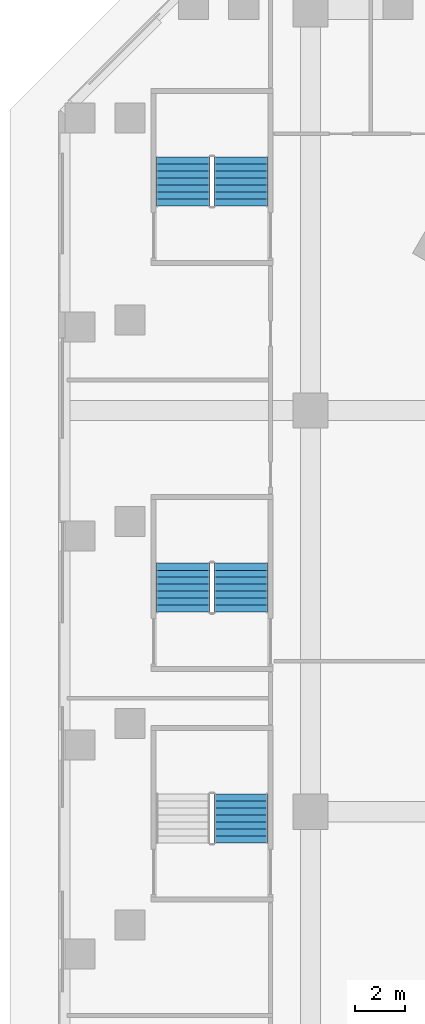
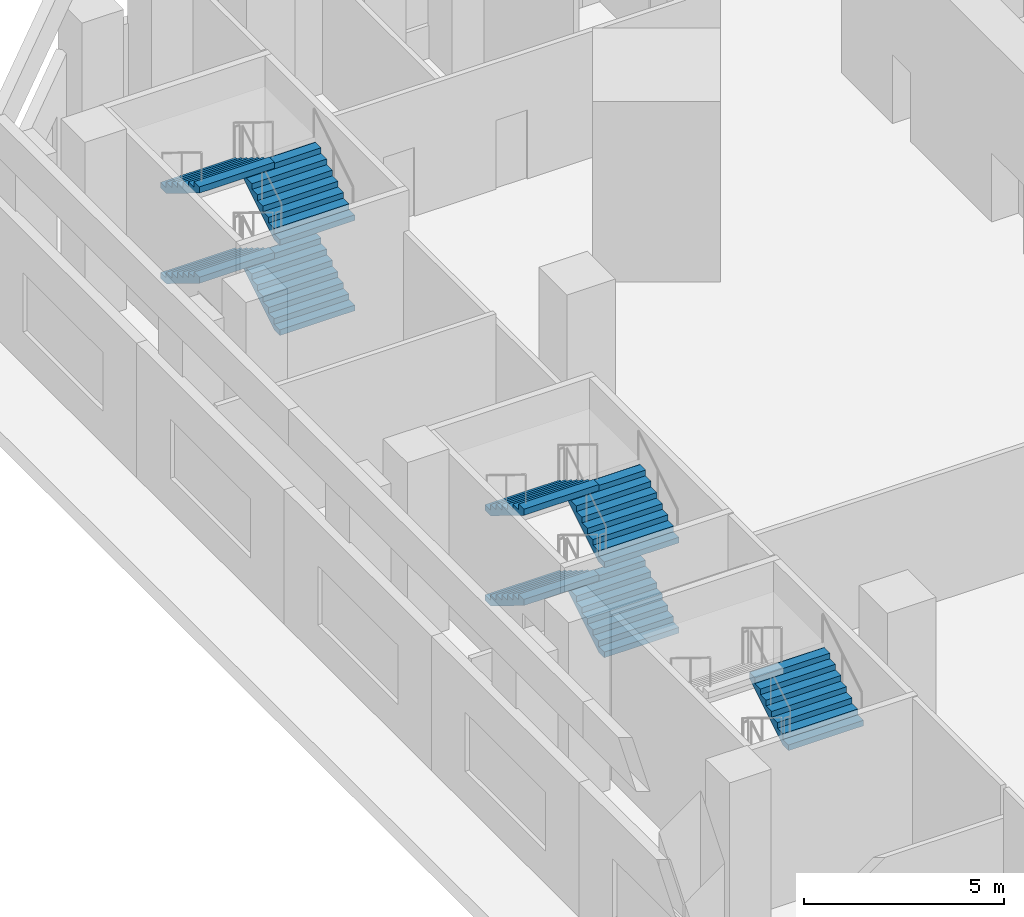
# One storey, part 14 of 22: 9 stair flights, 3 elements without a shape of their own.
"""IFC4 building model written with IfcOpenShell, lengths in metres."""

from ifc_helpers import new_model, si_unit, direction, frame, origin, place, context, subcontext, project, spatial, faceted_brep, source, transform, mapped, material, type_object, element, aggregate, save


model = new_model("IFC4")

# Units and contexts
model_context = context("Model", 3, precision=1e-05, world=origin(), true_north=direction((0.0, 1.0)))
body_context = subcontext(model_context, "Body", "Model", "MODEL_VIEW")
ifc_project = project(units=[si_unit("LENGTHUNIT", "METRE"), si_unit("AREAUNIT", "SQUARE_METRE"), si_unit("VOLUMEUNIT", "CUBIC_METRE"), si_unit("PLANEANGLEUNIT", "RADIAN"), si_unit("MASSUNIT", "GRAM", prefix="KILO")], contexts=[model_context])

# Site, building, storey
site_placement = place(None, origin())
site = spatial("IfcSite", under=ifc_project, at=site_placement, CompositionType="ELEMENT")
building_placement = place(site_placement, origin())
building = spatial("IfcBuilding", under=site, at=building_placement, Name="Calabash Gate Tower", CompositionType="ELEMENT")
storey_placement = place(building_placement, frame((0.0, 0.0, 34.5)))
storey = spatial("IfcBuildingStorey", under=building, at=storey_placement, Name="L04", CompositionType="ELEMENT", Elevation=34.5)

# Stair, stair flight
ifc_material_1 = material(Name="Concrete C40/50", Category="concrete")
stair_type = type_object("IfcStairType", Name="Public stair 32 risers of 171.9 mm", PredefinedType="HALF_TURN_STAIR", material=ifc_material_1)
stair_1_placement = place(storey_placement, origin())
stair_1 = element("IfcStair", 1, at=stair_1_placement, inside=storey, type_object=stair_type, Name="L04 Public Stair PS3", PredefinedType="HALF_TURN_STAIR")
ifc_material_2 = material(Name="Concrete C40/50", Category="concrete")
stair_flight_type = type_object("IfcStairFlightType", Name="Exit stair flight SFL", PredefinedType="STRAIGHT", material=ifc_material_2)
shared_shape = source(origin(), body_context, "Body", "Brep", [
    faceted_brep([(-0.0009765625, -1.080078125, 0.0), (0.285888671875, -1.080078125, 0.0), (1.9541015625, -1.080078125, 1.027099609375), (-0.0009765625, 1.080078125, 0.0), (1.9541015625, 1.080078125, 1.027099609375), (0.285888671875, 1.080078125, 0.0), (1.9541015625, -1.080078125, 1.215087890625), (1.952880859375, -1.080078125, 1.215087890625), (1.952880859375, 1.080078125, 1.215087890625), (1.9541015625, 1.080078125, 1.215087890625), (1.952880859375, -1.080078125, 1.203125), (1.952880859375, 1.080078125, 1.203125), (1.674072265625, -1.080078125, 1.203125), (1.674072265625, 1.080078125, 1.203125), (1.674072265625, -1.080078125, 1.03125), (1.674072265625, 1.080078125, 1.03125), (1.39501953125, -1.080078125, 1.03125), (1.39501953125, 1.080078125, 1.03125), (1.39501953125, -1.080078125, 0.859375), (1.39501953125, 1.080078125, 0.859375), (1.115966796875, -1.080078125, 0.859375), (1.115966796875, -1.080078125, 0.6875), (1.115966796875, 1.080078125, 0.6875), (1.115966796875, 1.080078125, 0.859375), (0.8369140625, -1.080078125, 0.6875), (0.8369140625, -1.080078125, 0.515625), (0.8369140625, 1.080078125, 0.515625), (0.8369140625, 1.080078125, 0.6875), (0.55810546875, -1.080078125, 0.515625), (0.55810546875, -1.080078125, 0.34375), (0.55810546875, 1.080078125, 0.34375), (0.55810546875, 1.080078125, 0.515625), (0.279052734375, -1.080078125, 0.34375), (0.279052734375, -1.080078125, 0.171875), (0.279052734375, 1.080078125, 0.171875), (0.279052734375, 1.080078125, 0.34375), (-0.0009765625, -1.080078125, 0.171875), (-0.0009765625, 1.080078125, 0.171875), (0.285888671875, -0.431884765625, 0.0), (1.9541015625, -0.431884765625, 1.027099609375), (0.285888671875, -0.370361328125, 0.0), (1.9541015625, -0.370361328125, 1.027099609375), (0.285888671875, -0.30859375, 0.0), (1.9541015625, -0.30859375, 1.027099609375), (0.285888671875, -0.246826171875, 0.0), (1.9541015625, -0.246826171875, 1.027099609375), (0.285888671875, -0.18505859375, 0.0), (1.9541015625, -0.18505859375, 1.027099609375), (0.285888671875, -0.12353515625, 0.0), (1.9541015625, -0.12353515625, 1.027099609375), (0.285888671875, -0.061767578125, 0.0), (1.9541015625, -0.061767578125, 1.027099609375), (0.285888671875, 0.0, 0.0), (1.9541015625, 0.0, 1.027099609375), (0.285888671875, 0.061767578125, 0.0), (1.9541015625, 0.061767578125, 1.027099609375), (0.285888671875, 0.12353515625, 0.0), (1.9541015625, 0.12353515625, 1.027099609375), (0.285888671875, 0.18505859375, 0.0), (1.9541015625, 0.18505859375, 1.027099609375), (0.285888671875, 0.246826171875, 0.0), (1.9541015625, 0.246826171875, 1.027099609375), (0.285888671875, 0.30859375, 0.0), (1.9541015625, 0.30859375, 1.027099609375), (0.285888671875, 0.370361328125, 0.0), (1.9541015625, 0.370361328125, 1.027099609375), (0.285888671875, 0.431884765625, 0.0), (1.9541015625, 0.431884765625, 1.027099609375), (1.9541015625, -0.431884765625, 1.215087890625), (1.9541015625, -0.370361328125, 1.215087890625), (1.9541015625, -0.30859375, 1.215087890625), (1.9541015625, -0.246826171875, 1.215087890625), (1.9541015625, -0.18505859375, 1.215087890625), (1.9541015625, -0.12353515625, 1.215087890625), (1.9541015625, -0.061767578125, 1.215087890625), (1.9541015625, 0.0, 1.215087890625), (1.9541015625, 0.061767578125, 1.215087890625), (1.9541015625, 0.12353515625, 1.215087890625), (1.9541015625, 0.18505859375, 1.215087890625), (1.9541015625, 0.246826171875, 1.215087890625), (1.9541015625, 0.30859375, 1.215087890625), (1.9541015625, 0.370361328125, 1.215087890625), (1.9541015625, 0.431884765625, 1.215087890625), (1.952880859375, -0.431884765625, 1.215087890625), (1.952880859375, -0.370361328125, 1.215087890625), (1.952880859375, -0.30859375, 1.215087890625), (1.952880859375, -0.246826171875, 1.215087890625), (1.952880859375, -0.18505859375, 1.215087890625), (1.952880859375, -0.12353515625, 1.215087890625), (1.952880859375, -0.061767578125, 1.215087890625), (1.952880859375, 0.0, 1.215087890625), (1.952880859375, 0.061767578125, 1.215087890625), (1.952880859375, 0.12353515625, 1.215087890625), (1.952880859375, 0.18505859375, 1.215087890625), (1.952880859375, 0.246826171875, 1.215087890625), (1.952880859375, 0.30859375, 1.215087890625), (1.952880859375, 0.370361328125, 1.215087890625), (1.952880859375, 0.431884765625, 1.215087890625), (1.952880859375, -0.431884765625, 1.203125), (1.952880859375, -0.370361328125, 1.203125), (1.952880859375, -0.30859375, 1.203125), (1.952880859375, -0.246826171875, 1.203125), (1.952880859375, -0.18505859375, 1.203125), (1.952880859375, -0.12353515625, 1.203125), (1.952880859375, -0.061767578125, 1.203125), (1.952880859375, 0.0, 1.203125), (1.952880859375, 0.061767578125, 1.203125), (1.952880859375, 0.12353515625, 1.203125), (1.952880859375, 0.18505859375, 1.203125), (1.952880859375, 0.246826171875, 1.203125), (1.952880859375, 0.30859375, 1.203125), (1.952880859375, 0.370361328125, 1.203125), (1.952880859375, 0.431884765625, 1.203125), (1.674072265625, -0.431884765625, 1.203125), (1.674072265625, -0.370361328125, 1.203125), (1.674072265625, -0.30859375, 1.203125), (1.674072265625, -0.246826171875, 1.203125), (1.674072265625, -0.18505859375, 1.203125), (1.674072265625, -0.12353515625, 1.203125), (1.674072265625, -0.061767578125, 1.203125), (1.674072265625, 0.0, 1.203125), (1.674072265625, 0.061767578125, 1.203125), (1.674072265625, 0.12353515625, 1.203125), (1.674072265625, 0.18505859375, 1.203125), (1.674072265625, 0.246826171875, 1.203125), (1.674072265625, 0.30859375, 1.203125), (1.674072265625, 0.370361328125, 1.203125), (1.674072265625, 0.431884765625, 1.203125), (1.674072265625, -0.431884765625, 1.03125), (1.674072265625, -0.370361328125, 1.03125), (1.674072265625, -0.30859375, 1.03125), (1.674072265625, -0.246826171875, 1.03125), (1.674072265625, -0.18505859375, 1.03125), (1.674072265625, -0.12353515625, 1.03125), (1.674072265625, -0.061767578125, 1.03125), (1.674072265625, 0.0, 1.03125), (1.674072265625, 0.061767578125, 1.03125), (1.674072265625, 0.12353515625, 1.03125), (1.674072265625, 0.18505859375, 1.03125), (1.674072265625, 0.246826171875, 1.03125), (1.674072265625, 0.30859375, 1.03125), (1.674072265625, 0.370361328125, 1.03125), (1.674072265625, 0.431884765625, 1.03125), (1.39501953125, -0.431884765625, 1.03125), (1.39501953125, -0.370361328125, 1.03125), (1.39501953125, -0.30859375, 1.03125), (1.39501953125, -0.246826171875, 1.03125), (1.39501953125, -0.18505859375, 1.03125), (1.39501953125, -0.12353515625, 1.03125), (1.39501953125, -0.061767578125, 1.03125), (1.39501953125, 0.0, 1.03125), (1.39501953125, 0.061767578125, 1.03125), (1.39501953125, 0.12353515625, 1.03125), (1.39501953125, 0.18505859375, 1.03125), (1.39501953125, 0.246826171875, 1.03125), (1.39501953125, 0.30859375, 1.03125), (1.39501953125, 0.370361328125, 1.03125), (1.39501953125, 0.431884765625, 1.03125), (1.39501953125, -0.431884765625, 0.859375), (1.39501953125, -0.370361328125, 0.859375), (1.39501953125, -0.30859375, 0.859375), (1.39501953125, -0.246826171875, 0.859375), (1.39501953125, -0.18505859375, 0.859375), (1.39501953125, -0.12353515625, 0.859375), (1.39501953125, -0.061767578125, 0.859375), (1.39501953125, 0.0, 0.859375), (1.39501953125, 0.061767578125, 0.859375), (1.39501953125, 0.12353515625, 0.859375), (1.39501953125, 0.18505859375, 0.859375), (1.39501953125, 0.246826171875, 0.859375), (1.39501953125, 0.30859375, 0.859375), (1.39501953125, 0.370361328125, 0.859375), (1.39501953125, 0.431884765625, 0.859375), (1.115966796875, -0.431884765625, 0.859375), (1.115966796875, -0.370361328125, 0.859375), (1.115966796875, -0.30859375, 0.859375), (1.115966796875, -0.246826171875, 0.859375), (1.115966796875, -0.18505859375, 0.859375), (1.115966796875, -0.12353515625, 0.859375), (1.115966796875, -0.061767578125, 0.859375), (1.115966796875, 0.0, 0.859375), (1.115966796875, 0.061767578125, 0.859375), (1.115966796875, 0.12353515625, 0.859375), (1.115966796875, 0.18505859375, 0.859375), (1.115966796875, 0.246826171875, 0.859375), (1.115966796875, 0.30859375, 0.859375), (1.115966796875, 0.370361328125, 0.859375), (1.115966796875, 0.431884765625, 0.859375), (1.115966796875, -0.431884765625, 0.6875), (1.115966796875, -0.370361328125, 0.6875), (1.115966796875, -0.30859375, 0.6875), (1.115966796875, -0.246826171875, 0.6875), (1.115966796875, -0.18505859375, 0.6875), (1.115966796875, -0.12353515625, 0.6875), (1.115966796875, -0.061767578125, 0.6875), (1.115966796875, 0.0, 0.6875), (1.115966796875, 0.061767578125, 0.6875), (1.115966796875, 0.12353515625, 0.6875), (1.115966796875, 0.18505859375, 0.6875), (1.115966796875, 0.246826171875, 0.6875), (1.115966796875, 0.30859375, 0.6875), (1.115966796875, 0.370361328125, 0.6875), (1.115966796875, 0.431884765625, 0.6875), (0.8369140625, -0.431884765625, 0.6875), (0.8369140625, -0.370361328125, 0.6875), (0.8369140625, -0.30859375, 0.6875), (0.8369140625, -0.246826171875, 0.6875), (0.8369140625, -0.18505859375, 0.6875), (0.8369140625, -0.12353515625, 0.6875), (0.8369140625, -0.061767578125, 0.6875), (0.8369140625, 0.0, 0.6875), (0.8369140625, 0.061767578125, 0.6875), (0.8369140625, 0.12353515625, 0.6875), (0.8369140625, 0.18505859375, 0.6875), (0.8369140625, 0.246826171875, 0.6875), (0.8369140625, 0.30859375, 0.6875), (0.8369140625, 0.370361328125, 0.6875), (0.8369140625, 0.431884765625, 0.6875), (0.8369140625, -0.431884765625, 0.515625), (0.8369140625, -0.370361328125, 0.515625), (0.8369140625, -0.30859375, 0.515625), (0.8369140625, -0.246826171875, 0.515625), (0.8369140625, -0.18505859375, 0.515625), (0.8369140625, -0.12353515625, 0.515625), (0.8369140625, -0.061767578125, 0.515625), (0.8369140625, 0.0, 0.515625), (0.8369140625, 0.061767578125, 0.515625), (0.8369140625, 0.12353515625, 0.515625), (0.8369140625, 0.18505859375, 0.515625), (0.8369140625, 0.246826171875, 0.515625), (0.8369140625, 0.30859375, 0.515625), (0.8369140625, 0.370361328125, 0.515625), (0.8369140625, 0.431884765625, 0.515625), (0.55810546875, -0.431884765625, 0.515625), (0.55810546875, -0.370361328125, 0.515625), (0.55810546875, -0.30859375, 0.515625), (0.55810546875, -0.246826171875, 0.515625), (0.55810546875, -0.18505859375, 0.515625), (0.55810546875, -0.12353515625, 0.515625), (0.55810546875, -0.061767578125, 0.515625), (0.55810546875, 0.0, 0.515625), (0.55810546875, 0.061767578125, 0.515625), (0.55810546875, 0.12353515625, 0.515625), (0.55810546875, 0.18505859375, 0.515625), (0.55810546875, 0.246826171875, 0.515625), (0.55810546875, 0.30859375, 0.515625), (0.55810546875, 0.370361328125, 0.515625), (0.55810546875, 0.431884765625, 0.515625), (0.55810546875, -0.431884765625, 0.34375), (0.55810546875, -0.370361328125, 0.34375), (0.55810546875, -0.30859375, 0.34375), (0.55810546875, -0.246826171875, 0.34375), (0.55810546875, -0.18505859375, 0.34375), (0.55810546875, -0.12353515625, 0.34375), (0.55810546875, -0.061767578125, 0.34375), (0.55810546875, 0.0, 0.34375), (0.55810546875, 0.061767578125, 0.34375), (0.55810546875, 0.12353515625, 0.34375), (0.55810546875, 0.18505859375, 0.34375), (0.55810546875, 0.246826171875, 0.34375), (0.55810546875, 0.30859375, 0.34375), (0.55810546875, 0.370361328125, 0.34375), (0.55810546875, 0.431884765625, 0.34375), (0.279052734375, -0.431884765625, 0.34375), (0.279052734375, -0.370361328125, 0.34375), (0.279052734375, -0.30859375, 0.34375), (0.279052734375, -0.246826171875, 0.34375), (0.279052734375, -0.18505859375, 0.34375), (0.279052734375, -0.12353515625, 0.34375), (0.279052734375, -0.061767578125, 0.34375), (0.279052734375, 0.0, 0.34375), (0.279052734375, 0.061767578125, 0.34375), (0.279052734375, 0.12353515625, 0.34375), (0.279052734375, 0.18505859375, 0.34375), (0.279052734375, 0.246826171875, 0.34375), (0.279052734375, 0.30859375, 0.34375), (0.279052734375, 0.370361328125, 0.34375), (0.279052734375, 0.431884765625, 0.34375), (0.279052734375, -0.431884765625, 0.171875), (0.279052734375, -0.370361328125, 0.171875), (0.279052734375, -0.30859375, 0.171875), (0.279052734375, -0.246826171875, 0.171875), (0.279052734375, -0.18505859375, 0.171875), (0.279052734375, -0.12353515625, 0.171875), (0.279052734375, -0.061767578125, 0.171875), (0.279052734375, 0.0, 0.171875), (0.279052734375, 0.061767578125, 0.171875), (0.279052734375, 0.12353515625, 0.171875), (0.279052734375, 0.18505859375, 0.171875), (0.279052734375, 0.246826171875, 0.171875), (0.279052734375, 0.30859375, 0.171875), (0.279052734375, 0.370361328125, 0.171875), (0.279052734375, 0.431884765625, 0.171875), (-0.0009765625, -0.431884765625, 0.171875), (-0.0009765625, -0.370361328125, 0.171875), (-0.0009765625, -0.30859375, 0.171875), (-0.0009765625, -0.246826171875, 0.171875), (-0.0009765625, -0.18505859375, 0.171875), (-0.0009765625, -0.12353515625, 0.171875), (-0.0009765625, -0.061767578125, 0.171875), (-0.0009765625, 0.0, 0.171875), (-0.0009765625, 0.061767578125, 0.171875), (-0.0009765625, 0.12353515625, 0.171875), (-0.0009765625, 0.18505859375, 0.171875), (-0.0009765625, 0.246826171875, 0.171875), (-0.0009765625, 0.30859375, 0.171875), (-0.0009765625, 0.370361328125, 0.171875), (-0.0009765625, 0.431884765625, 0.171875), (-0.0009765625, -0.431884765625, 0.0), (-0.0009765625, -0.370361328125, 0.0), (-0.0009765625, -0.30859375, 0.0), (-0.0009765625, -0.246826171875, 0.0), (-0.0009765625, -0.18505859375, 0.0), (-0.0009765625, -0.12353515625, 0.0), (-0.0009765625, -0.061767578125, 0.0), (-0.0009765625, 0.0, 0.0), (-0.0009765625, 0.061767578125, 0.0), (-0.0009765625, 0.12353515625, 0.0), (-0.0009765625, 0.18505859375, 0.0), (-0.0009765625, 0.246826171875, 0.0), (-0.0009765625, 0.30859375, 0.0), (-0.0009765625, 0.370361328125, 0.0), (-0.0009765625, 0.431884765625, 0.0)], [[[0, 1, 2]], [[3, 4, 5]], [[2, 6, 7]], [[4, 8, 9]], [[2, 7, 10]], [[4, 11, 8]], [[2, 10, 12]], [[4, 13, 11]], [[2, 12, 14]], [[4, 15, 13]], [[2, 14, 16]], [[4, 17, 15]], [[2, 16, 18]], [[4, 19, 17]], [[18, 20, 21]], [[19, 22, 23]], [[2, 18, 21]], [[4, 22, 19]], [[21, 24, 25]], [[22, 26, 27]], [[2, 21, 25]], [[4, 26, 22]], [[25, 28, 29]], [[26, 30, 31]], [[2, 25, 29]], [[4, 30, 26]], [[29, 32, 33]], [[30, 34, 35]], [[2, 29, 33]], [[4, 34, 30]], [[0, 2, 33]], [[3, 34, 4]], [[33, 36, 0]], [[34, 3, 37]], [[1, 38, 2]], [[38, 39, 2]], [[38, 40, 39]], [[40, 41, 39]], [[40, 42, 41]], [[42, 43, 41]], [[42, 44, 43]], [[44, 45, 43]], [[44, 46, 45]], [[46, 47, 45]], [[46, 48, 47]], [[48, 49, 47]], [[48, 50, 49]], [[50, 51, 49]], [[50, 52, 51]], [[52, 53, 51]], [[52, 54, 55]], [[52, 55, 53]], [[54, 56, 57]], [[54, 57, 55]], [[56, 58, 59]], [[56, 59, 57]], [[58, 60, 61]], [[58, 61, 59]], [[60, 62, 63]], [[60, 63, 61]], [[62, 64, 65]], [[62, 65, 63]], [[64, 66, 67]], [[64, 67, 65]], [[66, 5, 4]], [[66, 4, 67]], [[2, 39, 6]], [[39, 68, 6]], [[39, 41, 68]], [[41, 69, 68]], [[41, 43, 69]], [[43, 70, 69]], [[43, 45, 70]], [[45, 71, 70]], [[45, 47, 71]], [[47, 72, 71]], [[47, 49, 72]], [[49, 73, 72]], [[49, 51, 73]], [[51, 74, 73]], [[51, 53, 74]], [[53, 75, 74]], [[53, 55, 76]], [[53, 76, 75]], [[55, 57, 77]], [[55, 77, 76]], [[57, 59, 78]], [[57, 78, 77]], [[59, 61, 79]], [[59, 79, 78]], [[61, 63, 80]], [[61, 80, 79]], [[63, 65, 81]], [[63, 81, 80]], [[65, 67, 82]], [[65, 82, 81]], [[67, 4, 9]], [[67, 9, 82]], [[6, 68, 7]], [[68, 83, 7]], [[68, 69, 83]], [[69, 84, 83]], [[69, 70, 84]], [[70, 85, 84]], [[70, 71, 85]], [[71, 86, 85]], [[71, 72, 86]], [[72, 87, 86]], [[72, 73, 87]], [[73, 88, 87]], [[73, 74, 88]], [[74, 89, 88]], [[74, 75, 89]], [[75, 90, 89]], [[75, 76, 91]], [[75, 91, 90]], [[76, 77, 92]], [[76, 92, 91]], [[77, 78, 93]], [[77, 93, 92]], [[78, 79, 94]], [[78, 94, 93]], [[79, 80, 95]], [[79, 95, 94]], [[80, 81, 96]], [[80, 96, 95]], [[81, 82, 97]], [[81, 97, 96]], [[82, 9, 8]], [[82, 8, 97]], [[7, 83, 10]], [[83, 98, 10]], [[83, 84, 98]], [[84, 99, 98]], [[84, 85, 99]], [[85, 100, 99]], [[85, 86, 100]], [[86, 101, 100]], [[86, 87, 101]], [[87, 102, 101]], [[87, 88, 102]], [[88, 103, 102]], [[88, 89, 103]], [[89, 104, 103]], [[89, 90, 104]], [[90, 105, 104]], [[90, 91, 106]], [[90, 106, 105]], [[91, 92, 107]], [[91, 107, 106]], [[92, 93, 108]], [[92, 108, 107]], [[93, 94, 109]], [[93, 109, 108]], [[94, 95, 110]], [[94, 110, 109]], [[95, 96, 111]], [[95, 111, 110]], [[96, 97, 112]], [[96, 112, 111]], [[97, 8, 11]], [[97, 11, 112]], [[10, 98, 12]], [[98, 113, 12]], [[98, 99, 113]], [[99, 114, 113]], [[99, 100, 114]], [[100, 115, 114]], [[100, 101, 115]], [[101, 116, 115]], [[101, 102, 116]], [[102, 117, 116]], [[102, 103, 117]], [[103, 118, 117]], [[103, 104, 118]], [[104, 119, 118]], [[104, 105, 119]], [[105, 120, 119]], [[105, 106, 121]], [[105, 121, 120]], [[106, 107, 122]], [[106, 122, 121]], [[107, 108, 123]], [[107, 123, 122]], [[108, 109, 124]], [[108, 124, 123]], [[109, 110, 125]], [[109, 125, 124]], [[110, 111, 126]], [[110, 126, 125]], [[111, 112, 127]], [[111, 127, 126]], [[112, 11, 13]], [[112, 13, 127]], [[12, 113, 14]], [[113, 128, 14]], [[113, 114, 128]], [[114, 129, 128]], [[114, 115, 129]], [[115, 130, 129]], [[115, 116, 130]], [[116, 131, 130]], [[116, 117, 131]], [[117, 132, 131]], [[117, 118, 132]], [[118, 133, 132]], [[118, 119, 133]], [[119, 134, 133]], [[119, 120, 134]], [[120, 135, 134]], [[120, 121, 136]], [[120, 136, 135]], [[121, 122, 137]], [[121, 137, 136]], [[122, 123, 138]], [[122, 138, 137]], [[123, 124, 139]], [[123, 139, 138]], [[124, 125, 140]], [[124, 140, 139]], [[125, 126, 141]], [[125, 141, 140]], [[126, 127, 142]], [[126, 142, 141]], [[127, 13, 15]], [[127, 15, 142]], [[14, 128, 16]], [[128, 143, 16]], [[128, 129, 143]], [[129, 144, 143]], [[129, 130, 144]], [[130, 145, 144]], [[130, 131, 145]], [[131, 146, 145]], [[131, 132, 146]], [[132, 147, 146]], [[132, 133, 147]], [[133, 148, 147]], [[133, 134, 148]], [[134, 149, 148]], [[134, 135, 149]], [[135, 150, 149]], [[135, 136, 151]], [[135, 151, 150]], [[136, 137, 152]], [[136, 152, 151]], [[137, 138, 153]], [[137, 153, 152]], [[138, 139, 154]], [[138, 154, 153]], [[139, 140, 155]], [[139, 155, 154]], [[140, 141, 156]], [[140, 156, 155]], [[141, 142, 157]], [[141, 157, 156]], [[142, 15, 17]], [[142, 17, 157]], [[16, 143, 18]], [[143, 158, 18]], [[143, 144, 158]], [[144, 159, 158]], [[144, 145, 159]], [[145, 160, 159]], [[145, 146, 160]], [[146, 161, 160]], [[146, 147, 161]], [[147, 162, 161]], [[147, 148, 162]], [[148, 163, 162]], [[148, 149, 163]], [[149, 164, 163]], [[149, 150, 164]], [[150, 165, 164]], [[150, 151, 166]], [[150, 166, 165]], [[151, 152, 167]], [[151, 167, 166]], [[152, 153, 168]], [[152, 168, 167]], [[153, 154, 169]], [[153, 169, 168]], [[154, 155, 170]], [[154, 170, 169]], [[155, 156, 171]], [[155, 171, 170]], [[156, 157, 172]], [[156, 172, 171]], [[157, 17, 19]], [[157, 19, 172]], [[18, 158, 20]], [[158, 173, 20]], [[158, 159, 173]], [[159, 174, 173]], [[159, 160, 174]], [[160, 175, 174]], [[160, 161, 175]], [[161, 176, 175]], [[161, 162, 176]], [[162, 177, 176]], [[162, 163, 177]], [[163, 178, 177]], [[163, 164, 178]], [[164, 179, 178]], [[164, 165, 179]], [[165, 180, 179]], [[165, 166, 181]], [[165, 181, 180]], [[166, 167, 182]], [[166, 182, 181]], [[167, 168, 183]], [[167, 183, 182]], [[168, 169, 184]], [[168, 184, 183]], [[169, 170, 185]], [[169, 185, 184]], [[170, 171, 186]], [[170, 186, 185]], [[171, 172, 187]], [[171, 187, 186]], [[172, 19, 23]], [[172, 23, 187]], [[20, 173, 21]], [[173, 188, 21]], [[173, 174, 188]], [[174, 189, 188]], [[174, 175, 189]], [[175, 190, 189]], [[175, 176, 190]], [[176, 191, 190]], [[176, 177, 191]], [[177, 192, 191]], [[177, 178, 192]], [[178, 193, 192]], [[178, 179, 193]], [[179, 194, 193]], [[179, 180, 194]], [[180, 195, 194]], [[180, 181, 196]], [[180, 196, 195]], [[181, 182, 197]], [[181, 197, 196]], [[182, 183, 198]], [[182, 198, 197]], [[183, 184, 199]], [[183, 199, 198]], [[184, 185, 200]], [[184, 200, 199]], [[185, 186, 201]], [[185, 201, 200]], [[186, 187, 202]], [[186, 202, 201]], [[187, 23, 22]], [[187, 22, 202]], [[21, 188, 24]], [[188, 203, 24]], [[188, 189, 203]], [[189, 204, 203]], [[189, 190, 204]], [[190, 205, 204]], [[190, 191, 205]], [[191, 206, 205]], [[191, 192, 206]], [[192, 207, 206]], [[192, 193, 207]], [[193, 208, 207]], [[193, 194, 208]], [[194, 209, 208]], [[194, 195, 209]], [[195, 210, 209]], [[195, 196, 211]], [[195, 211, 210]], [[196, 197, 212]], [[196, 212, 211]], [[197, 198, 213]], [[197, 213, 212]], [[198, 199, 214]], [[198, 214, 213]], [[199, 200, 215]], [[199, 215, 214]], [[200, 201, 216]], [[200, 216, 215]], [[201, 202, 217]], [[201, 217, 216]], [[202, 22, 27]], [[202, 27, 217]], [[24, 203, 25]], [[203, 218, 25]], [[203, 204, 218]], [[204, 219, 218]], [[204, 205, 219]], [[205, 220, 219]], [[205, 206, 220]], [[206, 221, 220]], [[206, 207, 221]], [[207, 222, 221]], [[207, 208, 222]], [[208, 223, 222]], [[208, 209, 223]], [[209, 224, 223]], [[209, 210, 224]], [[210, 225, 224]], [[210, 211, 226]], [[210, 226, 225]], [[211, 212, 227]], [[211, 227, 226]], [[212, 213, 228]], [[212, 228, 227]], [[213, 214, 229]], [[213, 229, 228]], [[214, 215, 230]], [[214, 230, 229]], [[215, 216, 231]], [[215, 231, 230]], [[216, 217, 232]], [[216, 232, 231]], [[217, 27, 26]], [[217, 26, 232]], [[25, 218, 28]], [[218, 233, 28]], [[218, 219, 233]], [[219, 234, 233]], [[219, 220, 234]], [[220, 235, 234]], [[220, 221, 235]], [[221, 236, 235]], [[221, 222, 236]], [[222, 237, 236]], [[222, 223, 237]], [[223, 238, 237]], [[223, 224, 238]], [[224, 239, 238]], [[224, 225, 239]], [[225, 240, 239]], [[225, 226, 241]], [[225, 241, 240]], [[226, 227, 242]], [[226, 242, 241]], [[227, 228, 243]], [[227, 243, 242]], [[228, 229, 244]], [[228, 244, 243]], [[229, 230, 245]], [[229, 245, 244]], [[230, 231, 246]], [[230, 246, 245]], [[231, 232, 247]], [[231, 247, 246]], [[232, 26, 31]], [[232, 31, 247]], [[28, 233, 29]], [[233, 248, 29]], [[233, 234, 248]], [[234, 249, 248]], [[234, 235, 249]], [[235, 250, 249]], [[235, 236, 250]], [[236, 251, 250]], [[236, 237, 251]], [[237, 252, 251]], [[237, 238, 252]], [[238, 253, 252]], [[238, 239, 253]], [[239, 254, 253]], [[239, 240, 254]], [[240, 255, 254]], [[240, 241, 256]], [[240, 256, 255]], [[241, 242, 257]], [[241, 257, 256]], [[242, 243, 258]], [[242, 258, 257]], [[243, 244, 259]], [[243, 259, 258]], [[244, 245, 260]], [[244, 260, 259]], [[245, 246, 261]], [[245, 261, 260]], [[246, 247, 262]], [[246, 262, 261]], [[247, 31, 30]], [[247, 30, 262]], [[29, 248, 32]], [[248, 263, 32]], [[248, 249, 263]], [[249, 264, 263]], [[249, 250, 264]], [[250, 265, 264]], [[250, 251, 265]], [[251, 266, 265]], [[251, 252, 266]], [[252, 267, 266]], [[252, 253, 267]], [[253, 268, 267]], [[253, 254, 268]], [[254, 269, 268]], [[254, 255, 269]], [[255, 270, 269]], [[255, 256, 271]], [[255, 271, 270]], [[256, 257, 272]], [[256, 272, 271]], [[257, 258, 273]], [[257, 273, 272]], [[258, 259, 274]], [[258, 274, 273]], [[259, 260, 275]], [[259, 275, 274]], [[260, 261, 276]], [[260, 276, 275]], [[261, 262, 277]], [[261, 277, 276]], [[262, 30, 35]], [[262, 35, 277]], [[32, 263, 33]], [[263, 278, 33]], [[263, 264, 278]], [[264, 279, 278]], [[264, 265, 279]], [[265, 280, 279]], [[265, 266, 280]], [[266, 281, 280]], [[266, 267, 281]], [[267, 282, 281]], [[267, 268, 282]], [[268, 283, 282]], [[268, 269, 283]], [[269, 284, 283]], [[269, 270, 284]], [[270, 285, 284]], [[270, 271, 286]], [[270, 286, 285]], [[271, 272, 287]], [[271, 287, 286]], [[272, 273, 288]], [[272, 288, 287]], [[273, 274, 289]], [[273, 289, 288]], [[274, 275, 290]], [[274, 290, 289]], [[275, 276, 291]], [[275, 291, 290]], [[276, 277, 292]], [[276, 292, 291]], [[277, 35, 34]], [[277, 34, 292]], [[33, 278, 36]], [[278, 293, 36]], [[278, 279, 293]], [[279, 294, 293]], [[279, 280, 294]], [[280, 295, 294]], [[280, 281, 295]], [[281, 296, 295]], [[281, 282, 296]], [[282, 297, 296]], [[282, 283, 297]], [[283, 298, 297]], [[283, 284, 298]], [[284, 299, 298]], [[284, 285, 299]], [[285, 300, 299]], [[285, 286, 301]], [[285, 301, 300]], [[286, 287, 302]], [[286, 302, 301]], [[287, 288, 303]], [[287, 303, 302]], [[288, 289, 304]], [[288, 304, 303]], [[289, 290, 305]], [[289, 305, 304]], [[290, 291, 306]], [[290, 306, 305]], [[291, 292, 307]], [[291, 307, 306]], [[292, 34, 37]], [[292, 37, 307]], [[36, 293, 0]], [[293, 308, 0]], [[293, 294, 308]], [[294, 309, 308]], [[294, 295, 309]], [[295, 310, 309]], [[295, 296, 310]], [[296, 311, 310]], [[296, 297, 311]], [[297, 312, 311]], [[297, 298, 312]], [[298, 313, 312]], [[298, 299, 313]], [[299, 314, 313]], [[299, 300, 314]], [[300, 315, 314]], [[300, 301, 316]], [[300, 316, 315]], [[301, 302, 317]], [[301, 317, 316]], [[302, 303, 318]], [[302, 318, 317]], [[303, 304, 319]], [[303, 319, 318]], [[304, 305, 320]], [[304, 320, 319]], [[305, 306, 321]], [[305, 321, 320]], [[306, 307, 322]], [[306, 322, 321]], [[307, 37, 3]], [[307, 3, 322]], [[0, 308, 1]], [[308, 38, 1]], [[308, 309, 38]], [[309, 40, 38]], [[309, 310, 40]], [[310, 42, 40]], [[310, 311, 42]], [[311, 44, 42]], [[311, 312, 44]], [[312, 46, 44]], [[312, 313, 46]], [[313, 48, 46]], [[313, 314, 48]], [[314, 50, 48]], [[314, 315, 50]], [[315, 52, 50]], [[315, 316, 54]], [[315, 54, 52]], [[316, 317, 56]], [[316, 56, 54]], [[317, 318, 58]], [[317, 58, 56]], [[318, 319, 60]], [[318, 60, 58]], [[319, 320, 62]], [[319, 62, 60]], [[320, 321, 64]], [[320, 64, 62]], [[321, 322, 66]], [[321, 66, 64]], [[322, 3, 5]], [[322, 5, 66]]]),
])
stair_flight_1_placement = place(storey_placement, frame((-34.780029296875, -9.239990234375, 2.75), z_axis=(0.0, 0.0, 1.0), x_axis=(0.0, 1.0, 0.0)))
stair_flight_1 = element("IfcStairFlight", 2, at=stair_flight_1_placement, type_object=stair_flight_type, Name="PS3 flight 3", NumberOfRisers=8, NumberOfTreads=7, PredefinedType="STRAIGHT", RiserHeight=0.171875, TreadLength=0.279, context=body_context, shape_type="MappedRepresentation", body=[
    mapped(shared_shape, transform((0.0, 0.0, 0.0), scale=1.0)),
])
aggregate(stair_1, [stair_flight_1])

# Stair, stair flights
stair_2_placement = place(storey_placement, origin())
stair_2 = element("IfcStair", 3, at=stair_2_placement, inside=storey, type_object=stair_type, Name="L04 Public Stair PS4", PredefinedType="HALF_TURN_STAIR")
stair_flight_2_placement = place(storey_placement, frame((-34.780029296875, -0.0400390625, 0.0), z_axis=(0.0, 0.0, 1.0), x_axis=(0.0, 1.0, 0.0)))
stair_flight_2 = element("IfcStairFlight", 4, at=stair_flight_2_placement, type_object=stair_flight_type, Name="PS4 flight 1", NumberOfRisers=8, NumberOfTreads=7, PredefinedType="STRAIGHT", RiserHeight=0.171875, TreadLength=0.279, context=body_context, shape_type="MappedRepresentation", body=[
    mapped(shared_shape, transform((0.0, 0.0, 0.0), scale=1.0)),
])
stair_flight_3_placement = place(storey_placement, frame((-37.090087890625, 1.9130859375, 1.375), z_axis=(0.0, 0.0, 1.0), x_axis=(0.0, -1.0, 0.0)))
stair_flight_3 = element("IfcStairFlight", 5, at=stair_flight_3_placement, type_object=stair_flight_type, Name="PS4 flight 2", NumberOfRisers=8, NumberOfTreads=7, PredefinedType="STRAIGHT", RiserHeight=0.171875, TreadLength=0.279, context=body_context, shape_type="MappedRepresentation", body=[
    mapped(shared_shape, transform((0.0, 0.0, 0.0), scale=1.0)),
])
stair_flight_4_placement = place(storey_placement, frame((-34.780029296875, -0.0400390625, 2.75), z_axis=(0.0, 0.0, 1.0), x_axis=(0.0, 1.0, 0.0)))
stair_flight_4 = element("IfcStairFlight", 6, at=stair_flight_4_placement, type_object=stair_flight_type, Name="PS4 flight 3", NumberOfRisers=8, NumberOfTreads=7, PredefinedType="STRAIGHT", RiserHeight=0.171875, TreadLength=0.279, context=body_context, shape_type="MappedRepresentation", body=[
    mapped(shared_shape, transform((0.0, 0.0, 0.0), scale=1.0)),
])
stair_flight_5_placement = place(storey_placement, frame((-37.090087890625, 1.9130859375, 4.125), z_axis=(0.0, 0.0, 1.0), x_axis=(0.0, -1.0, 0.0)))
stair_flight_5 = element("IfcStairFlight", 7, at=stair_flight_5_placement, type_object=stair_flight_type, Name="PS4 flight 4", NumberOfRisers=8, NumberOfTreads=7, PredefinedType="STRAIGHT", RiserHeight=0.171875, TreadLength=0.279, context=body_context, shape_type="MappedRepresentation", body=[
    mapped(shared_shape, transform((0.0, 0.0, 0.0), scale=1.0)),
])
aggregate(stair_2, [stair_flight_2, stair_flight_3, stair_flight_4, stair_flight_5])

stair_3_placement = place(storey_placement, origin())
stair_3 = element("IfcStair", 8, at=stair_3_placement, inside=storey, type_object=stair_type, Name="L04 Public Stair PS5", PredefinedType="HALF_TURN_STAIR")
stair_flight_6_placement = place(storey_placement, frame((-34.780029296875, 16.159912109375, 0.0), z_axis=(0.0, 0.0, 1.0), x_axis=(0.0, 1.0, 0.0)))
stair_flight_6 = element("IfcStairFlight", 9, at=stair_flight_6_placement, type_object=stair_flight_type, Name="PS5 flight 1", NumberOfRisers=8, NumberOfTreads=7, PredefinedType="STRAIGHT", RiserHeight=0.171875, TreadLength=0.279, context=body_context, shape_type="MappedRepresentation", body=[
    mapped(shared_shape, transform((0.0, 0.0, 0.0), scale=1.0)),
])
stair_flight_7_placement = place(storey_placement, frame((-37.090087890625, 18.113037109375, 1.375), z_axis=(0.0, 0.0, 1.0), x_axis=(0.0, -1.0, 0.0)))
stair_flight_7 = element("IfcStairFlight", 10, at=stair_flight_7_placement, type_object=stair_flight_type, Name="PS5 flight 2", NumberOfRisers=8, NumberOfTreads=7, PredefinedType="STRAIGHT", RiserHeight=0.171875, TreadLength=0.279, context=body_context, shape_type="MappedRepresentation", body=[
    mapped(shared_shape, transform((0.0, 0.0, 0.0), scale=1.0)),
])
stair_flight_8_placement = place(storey_placement, frame((-34.780029296875, 16.159912109375, 2.75), z_axis=(0.0, 0.0, 1.0), x_axis=(0.0, 1.0, 0.0)))
stair_flight_8 = element("IfcStairFlight", 11, at=stair_flight_8_placement, type_object=stair_flight_type, Name="PS5 flight 3", NumberOfRisers=8, NumberOfTreads=7, PredefinedType="STRAIGHT", RiserHeight=0.171875, TreadLength=0.279, context=body_context, shape_type="MappedRepresentation", body=[
    mapped(shared_shape, transform((0.0, 0.0, 0.0), scale=1.0)),
])
stair_flight_9_placement = place(storey_placement, frame((-37.090087890625, 18.113037109375, 4.125), z_axis=(0.0, 0.0, 1.0), x_axis=(0.0, -1.0, 0.0)))
stair_flight_9 = element("IfcStairFlight", 12, at=stair_flight_9_placement, type_object=stair_flight_type, Name="PS5 flight 4", NumberOfRisers=8, NumberOfTreads=7, PredefinedType="STRAIGHT", RiserHeight=0.171875, TreadLength=0.279, context=body_context, shape_type="MappedRepresentation", body=[
    mapped(shared_shape, transform((0.0, 0.0, 0.0), scale=1.0)),
])
aggregate(stair_3, [stair_flight_6, stair_flight_7, stair_flight_8, stair_flight_9])

save(model, "model.ifc")
